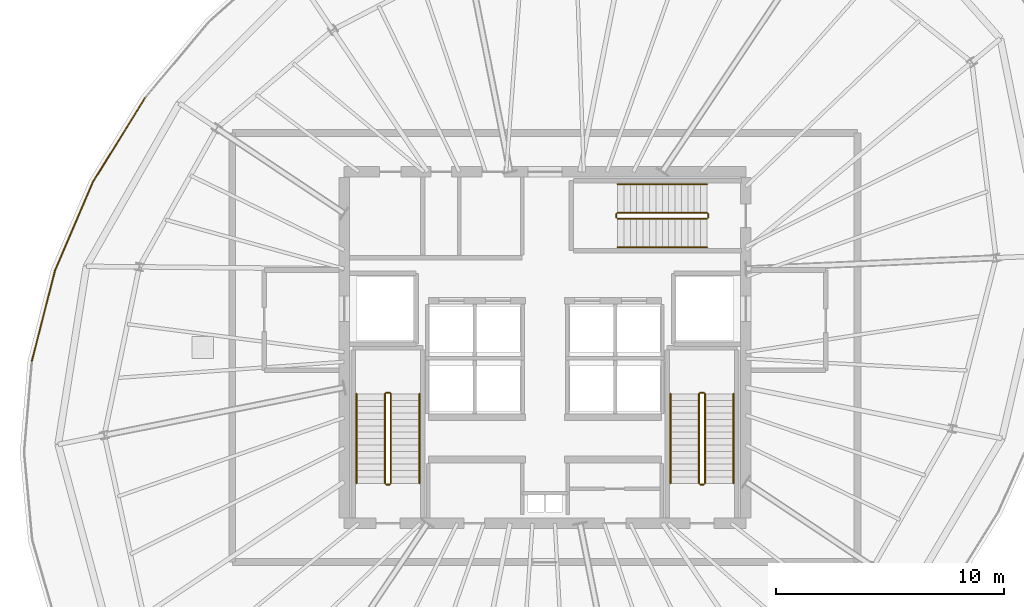
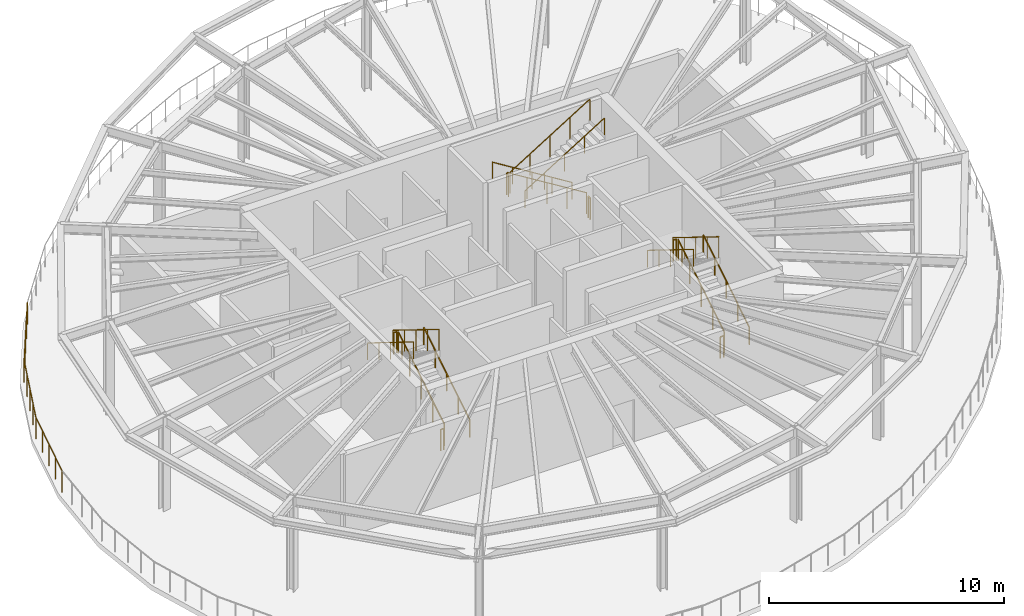
# One storey, part 7 of 8: 21 railings.
"""IFC4 building model written with IfcOpenShell, lengths in metres."""

from ifc_helpers import new_model, si_unit, direction, frame, origin, origin_2d, place, context, subcontext, project, spatial, circle, extrude, material, type_object, element, save


model = new_model("IFC4")

# Units and contexts
model_context = context("Model", 3, precision=1e-05, world=origin(), true_north=direction((0.0, 1.0)))
body_context = subcontext(model_context, "Body", "Model", "MODEL_VIEW")
ifc_project = project(units=[si_unit("LENGTHUNIT", "METRE"), si_unit("AREAUNIT", "SQUARE_METRE"), si_unit("VOLUMEUNIT", "CUBIC_METRE"), si_unit("PLANEANGLEUNIT", "RADIAN"), si_unit("MASSUNIT", "GRAM", prefix="KILO"), si_unit("THERMODYNAMICTEMPERATUREUNIT", "KELVIN")], contexts=[model_context])

# Site, building, storey
site_placement = place(None, origin())
site = spatial("IfcSite", under=ifc_project, at=site_placement, CompositionType="ELEMENT")
building_placement = place(site_placement, origin())
building = spatial("IfcBuilding", under=site, at=building_placement, Name="Kethvar Cultural Tower", CompositionType="ELEMENT")
storey_placement = place(building_placement, frame((0.0, 0.0, 218.39990234375)))
storey = spatial("IfcBuildingStorey", under=building, at=storey_placement, Name="L57", CompositionType="ELEMENT", Elevation=218.39990234375)

# Railings
ifc_material = material(Name="Steel S355J2", Category="steel")
railing_type_1 = type_object("IfcRailingType", Name="RL-EXT-GUARD-1150", PredefinedType="BALUSTRADE", material=ifc_material)
railing_1_placement = place(storey_placement, frame((29.272705078125, 38.735595703125, 0.0)))
element("IfcRailing", 1, at=railing_1_placement, inside=storey, type_object=railing_type_1, Name="L57 Open Wind-Floor Perimeter Guard 11", PredefinedType="BALUSTRADE", context=body_context, shape_type="SweptSolid", body=[
    extrude(circle(Radius=0.02392578125, at=origin_2d()), frame((0.0, 0.0, 1.1259765625), z_axis=(-0.526381893788, -0.850248258976, 0.0), x_axis=(0.850248258976, -0.526381893788, 0.0)), (0.0, 0.0, 1.0), 4.3134765625),
    extrude(circle(Radius=0.02099609375, at=origin_2d()), origin(), (0.0, 0.0, 1.0), 1.101806640625),
    extrude(circle(Radius=0.02099609375, at=origin_2d()), frame((-0.567626953125, -0.9169921875, 0.0)), (0.0, 0.0, 1.0), 1.101806640625),
    extrude(circle(Radius=0.02099609375, at=origin_2d()), frame((-1.13525390625, -1.833740234375, 0.0)), (0.0, 0.0, 1.0), 1.101806640625),
    extrude(circle(Radius=0.02099609375, at=origin_2d()), frame((-1.702880859375, -2.75048828125, 0.0)), (0.0, 0.0, 1.0), 1.101806640625),
    extrude(circle(Radius=0.02099609375, at=origin_2d()), frame((-2.2705078125, -3.66748046875, 0.0)), (0.0, 0.0, 1.0), 1.101806640625),
])
railing_2_placement = place(storey_placement, frame((27.002197265625, 35.068115234375, 0.0)))
element("IfcRailing", 2, at=railing_2_placement, inside=storey, type_object=railing_type_1, Name="L57 Open Wind-Floor Perimeter Guard 12", PredefinedType="BALUSTRADE", context=body_context, shape_type="SweptSolid", body=[
    extrude(circle(Radius=0.02392578125, at=origin_2d()), frame((0.0, 0.0, 1.1259765625), z_axis=(-0.394719622038, -0.918801621667, 0.0), x_axis=(0.918801621667, -0.394719622038, 0.0)), (0.0, 0.0, 1.0), 4.233154296875),
    extrude(circle(Radius=0.02099609375, at=origin_2d()), origin(), (0.0, 0.0, 1.0), 1.101806640625),
    extrude(circle(Radius=0.02099609375, at=origin_2d()), frame((-0.417724609375, -0.972412109375, 0.0)), (0.0, 0.0, 1.0), 1.101806640625),
    extrude(circle(Radius=0.02099609375, at=origin_2d()), frame((-0.83544921875, -1.94482421875, 0.0)), (0.0, 0.0, 1.0), 1.101806640625),
    extrude(circle(Radius=0.02099609375, at=origin_2d()), frame((-1.253173828125, -2.9169921875, 0.0)), (0.0, 0.0, 1.0), 1.101806640625),
    extrude(circle(Radius=0.02099609375, at=origin_2d()), frame((-1.6708984375, -3.889404296875, 0.0)), (0.0, 0.0, 1.0), 1.101806640625),
])
railing_3_placement = place(storey_placement, frame((25.331298828125, 31.1787109375, 0.0)))
element("IfcRailing", 3, at=railing_3_placement, inside=storey, type_object=railing_type_1, Name="L57 Open Wind-Floor Perimeter Guard 13", PredefinedType="BALUSTRADE", context=body_context, shape_type="SweptSolid", body=[
    extrude(circle(Radius=0.02392578125, at=origin_2d()), frame((0.0, 0.0, 1.1259765625), z_axis=(-0.247493258159, -0.968889615573, 0.0), x_axis=(0.968889615573, -0.247493258159, 0.0)), (0.0, 0.0, 1.0), 4.122314453125),
    extrude(circle(Radius=0.02099609375, at=origin_2d()), origin(), (0.0, 0.0, 1.0), 1.101806640625),
    extrude(circle(Radius=0.02099609375, at=origin_2d()), frame((-0.255126953125, -0.99853515625, 0.0)), (0.0, 0.0, 1.0), 1.101806640625),
    extrude(circle(Radius=0.02099609375, at=origin_2d()), frame((-0.51025390625, -1.9970703125, 0.0)), (0.0, 0.0, 1.0), 1.101806640625),
    extrude(circle(Radius=0.02099609375, at=origin_2d()), frame((-0.76513671875, -2.99560546875, 0.0)), (0.0, 0.0, 1.0), 1.101806640625),
    extrude(circle(Radius=0.02099609375, at=origin_2d()), frame((-1.020263671875, -3.994140625, 0.0)), (0.0, 0.0, 1.0), 1.101806640625),
])
railing_type_2 = type_object("IfcRailingType", Name="RL-STAIR-GUARD", PredefinedType="BALUSTRADE", material=ifc_material)
railing_4_placement = place(storey_placement, frame((40.050048828125, 21.85009765625, 0.17333984375)))
element("IfcRailing", 4, at=railing_4_placement, inside=storey, type_object=railing_type_2, Name="L57 ST-01 stair guard 1", PredefinedType="BALUSTRADE", context=body_context, shape_type="SweptSolid", body=[
    extrude(circle(Radius=0.02392578125, at=origin_2d()), frame((0.0, 0.0, 1.09619140625), z_axis=(0.0, 0.850251603719, 0.526376491091), x_axis=(-1.0, 0.0, 0.0)), (0.0, 0.0, 1.0), 4.6103515625),
    extrude(circle(Radius=0.02099609375, at=origin_2d()), origin(), (0.0, 0.0, 1.0), 1.072021484375),
    extrude(circle(Radius=0.02099609375, at=origin_2d()), frame((0.0, 0.97998046875, 0.606689453125)), (0.0, 0.0, 1.0), 1.072021484375),
    extrude(circle(Radius=0.02099609375, at=origin_2d()), frame((0.0, 1.9599609375, 1.21337890625)), (0.0, 0.0, 1.0), 1.072021484375),
    extrude(circle(Radius=0.02099609375, at=origin_2d()), frame((0.0, 2.93994140625, 1.820068359375)), (0.0, 0.0, 1.0), 1.072021484375),
    extrude(circle(Radius=0.02099609375, at=origin_2d()), frame((0.0, 3.919921875, 2.4267578125)), (0.0, 0.0, 1.0), 1.072021484375),
])
railing_5_placement = place(storey_placement, frame((40.0, 25.820068359375, 2.60009765625)))
element("IfcRailing", 5, at=railing_5_placement, inside=storey, type_object=railing_type_2, Name="L57 ST-01 stair guard 2", PredefinedType="BALUSTRADE", context=body_context, shape_type="SweptSolid", body=[
    extrude(circle(Radius=0.02392578125, at=origin_2d()), frame((0.0, 0.0, 1.09619140625), z_axis=(-1.0, 0.0, 0.0), x_axis=(0.0, -1.0, 0.0)), (0.0, 0.0, 1.0), 0.159912109375),
    extrude(circle(Radius=0.02099609375, at=origin_2d()), origin(), (0.0, 0.0, 1.0), 1.072021484375),
    extrude(circle(Radius=0.02099609375, at=origin_2d()), frame((-0.159912109375, 0.0, 0.0)), (0.0, 0.0, 1.0), 1.072021484375),
])
railing_6_placement = place(storey_placement, frame((39.7900390625, 25.77001953125, 2.7734375)))
element("IfcRailing", 6, at=railing_6_placement, inside=storey, type_object=railing_type_2, Name="L57 ST-01 stair guard 3", PredefinedType="BALUSTRADE", context=body_context, shape_type="SweptSolid", body=[
    extrude(circle(Radius=0.02392578125, at=origin_2d()), frame((0.0, 0.0, 1.09619140625), z_axis=(0.0, -0.850251603719, 0.526376491091), x_axis=(1.0, 0.0, 0.0)), (0.0, 0.0, 1.0), 4.6103515625),
    extrude(circle(Radius=0.02099609375, at=origin_2d()), origin(), (0.0, 0.0, 1.0), 1.072021484375),
    extrude(circle(Radius=0.02099609375, at=origin_2d()), frame((0.0, -0.97998046875, 0.606689453125)), (0.0, 0.0, 1.0), 1.072021484375),
    extrude(circle(Radius=0.02099609375, at=origin_2d()), frame((0.0, -1.9599609375, 1.21337890625)), (0.0, 0.0, 1.0), 1.072021484375),
    extrude(circle(Radius=0.02099609375, at=origin_2d()), frame((0.0, -2.93994140625, 1.820068359375)), (0.0, 0.0, 1.0), 1.072021484375),
    extrude(circle(Radius=0.02099609375, at=origin_2d()), frame((0.0, -3.919921875, 2.4267578125)), (0.0, 0.0, 1.0), 1.072021484375),
])
railing_7_placement = place(storey_placement, frame((40.0, 21.800048828125, 0.0)))
element("IfcRailing", 7, at=railing_7_placement, inside=storey, type_object=railing_type_2, Name="L57 ST-01 stair guard 4", PredefinedType="BALUSTRADE", context=body_context, shape_type="SweptSolid", body=[
    extrude(circle(Radius=0.02392578125, at=origin_2d()), frame((0.0, 0.0, 1.09619140625), z_axis=(-1.0, 0.0, 0.0), x_axis=(0.0, -1.0, 0.0)), (0.0, 0.0, 1.0), 0.159912109375),
    extrude(circle(Radius=0.02099609375, at=origin_2d()), origin(), (0.0, 0.0, 1.0), 1.072021484375),
    extrude(circle(Radius=0.02099609375, at=origin_2d()), frame((-0.159912109375, 0.0, 0.0)), (0.0, 0.0, 1.0), 1.072021484375),
])
railing_8_placement = place(storey_placement, frame((53.81005859375, 21.85009765625, 0.17333984375)))
element("IfcRailing", 8, at=railing_8_placement, inside=storey, type_object=railing_type_2, Name="L57 ST-02 stair guard 1", PredefinedType="BALUSTRADE", context=body_context, shape_type="SweptSolid", body=[
    extrude(circle(Radius=0.02392578125, at=origin_2d()), frame((0.0, 0.0, 1.09619140625), z_axis=(0.0, 0.850251603719, 0.526376491091), x_axis=(-1.0, 0.0, 0.0)), (0.0, 0.0, 1.0), 4.6103515625),
    extrude(circle(Radius=0.02099609375, at=origin_2d()), origin(), (0.0, 0.0, 1.0), 1.072021484375),
    extrude(circle(Radius=0.02099609375, at=origin_2d()), frame((0.0, 0.97998046875, 0.606689453125)), (0.0, 0.0, 1.0), 1.072021484375),
    extrude(circle(Radius=0.02099609375, at=origin_2d()), frame((0.0, 1.9599609375, 1.21337890625)), (0.0, 0.0, 1.0), 1.072021484375),
    extrude(circle(Radius=0.02099609375, at=origin_2d()), frame((0.0, 2.93994140625, 1.820068359375)), (0.0, 0.0, 1.0), 1.072021484375),
    extrude(circle(Radius=0.02099609375, at=origin_2d()), frame((0.0, 3.919921875, 2.4267578125)), (0.0, 0.0, 1.0), 1.072021484375),
])
railing_9_placement = place(storey_placement, frame((53.760009765625, 25.820068359375, 2.60009765625)))
element("IfcRailing", 9, at=railing_9_placement, inside=storey, type_object=railing_type_2, Name="L57 ST-02 stair guard 2", PredefinedType="BALUSTRADE", context=body_context, shape_type="SweptSolid", body=[
    extrude(circle(Radius=0.02392578125, at=origin_2d()), frame((0.0, 0.0, 1.09619140625), z_axis=(-1.0, 0.0, 0.0), x_axis=(0.0, -1.0, 0.0)), (0.0, 0.0, 1.0), 0.159912109375),
    extrude(circle(Radius=0.02099609375, at=origin_2d()), origin(), (0.0, 0.0, 1.0), 1.072021484375),
    extrude(circle(Radius=0.02099609375, at=origin_2d()), frame((-0.159912109375, 0.0, 0.0)), (0.0, 0.0, 1.0), 1.072021484375),
])
railing_10_placement = place(storey_placement, frame((53.550048828125, 25.77001953125, 2.7734375)))
element("IfcRailing", 10, at=railing_10_placement, inside=storey, type_object=railing_type_2, Name="L57 ST-02 stair guard 3", PredefinedType="BALUSTRADE", context=body_context, shape_type="SweptSolid", body=[
    extrude(circle(Radius=0.02392578125, at=origin_2d()), frame((0.0, 0.0, 1.09619140625), z_axis=(0.0, -0.850251603719, 0.526376491091), x_axis=(1.0, 0.0, 0.0)), (0.0, 0.0, 1.0), 4.6103515625),
    extrude(circle(Radius=0.02099609375, at=origin_2d()), origin(), (0.0, 0.0, 1.0), 1.072021484375),
    extrude(circle(Radius=0.02099609375, at=origin_2d()), frame((0.0, -0.97998046875, 0.606689453125)), (0.0, 0.0, 1.0), 1.072021484375),
    extrude(circle(Radius=0.02099609375, at=origin_2d()), frame((0.0, -1.9599609375, 1.21337890625)), (0.0, 0.0, 1.0), 1.072021484375),
    extrude(circle(Radius=0.02099609375, at=origin_2d()), frame((0.0, -2.93994140625, 1.820068359375)), (0.0, 0.0, 1.0), 1.072021484375),
    extrude(circle(Radius=0.02099609375, at=origin_2d()), frame((0.0, -3.919921875, 2.4267578125)), (0.0, 0.0, 1.0), 1.072021484375),
])
railing_11_placement = place(storey_placement, frame((53.760009765625, 21.800048828125, 0.0)))
element("IfcRailing", 11, at=railing_11_placement, inside=storey, type_object=railing_type_2, Name="L57 ST-02 stair guard 4", PredefinedType="BALUSTRADE", context=body_context, shape_type="SweptSolid", body=[
    extrude(circle(Radius=0.02392578125, at=origin_2d()), frame((0.0, 0.0, 1.09619140625), z_axis=(-1.0, 0.0, 0.0), x_axis=(0.0, -1.0, 0.0)), (0.0, 0.0, 1.0), 0.159912109375),
    extrude(circle(Radius=0.02099609375, at=origin_2d()), origin(), (0.0, 0.0, 1.0), 1.072021484375),
    extrude(circle(Radius=0.02099609375, at=origin_2d()), frame((-0.159912109375, 0.0, 0.0)), (0.0, 0.0, 1.0), 1.072021484375),
])
railing_12_placement = place(storey_placement, frame((53.89990234375, 33.7099609375, 0.17333984375)))
element("IfcRailing", 12, at=railing_12_placement, inside=storey, type_object=railing_type_2, Name="L57 ST-03 stair guard 1", PredefinedType="BALUSTRADE", context=body_context, shape_type="SweptSolid", body=[
    extrude(circle(Radius=0.02392578125, at=origin_2d()), frame((0.0, 0.0, 1.09619140625), z_axis=(-0.850251603719, 0.0, 0.526376491091), x_axis=(0.0, -1.0, 0.0)), (0.0, 0.0, 1.0), 4.6103515625),
    extrude(circle(Radius=0.02099609375, at=origin_2d()), origin(), (0.0, 0.0, 1.0), 1.072021484375),
    extrude(circle(Radius=0.02099609375, at=origin_2d()), frame((-0.97998046875, 0.0, 0.606689453125)), (0.0, 0.0, 1.0), 1.072021484375),
    extrude(circle(Radius=0.02099609375, at=origin_2d()), frame((-1.9599609375, 0.0, 1.21337890625)), (0.0, 0.0, 1.0), 1.072021484375),
    extrude(circle(Radius=0.02099609375, at=origin_2d()), frame((-2.93994140625, 0.0, 1.820068359375)), (0.0, 0.0, 1.0), 1.072021484375),
    extrude(circle(Radius=0.02099609375, at=origin_2d()), frame((-3.919921875, 0.0, 2.4267578125)), (0.0, 0.0, 1.0), 1.072021484375),
])
railing_13_placement = place(storey_placement, frame((49.929931640625, 33.659912109375, 2.60009765625)))
element("IfcRailing", 13, at=railing_13_placement, inside=storey, type_object=railing_type_2, Name="L57 ST-03 stair guard 2", PredefinedType="BALUSTRADE", context=body_context, shape_type="SweptSolid", body=[
    extrude(circle(Radius=0.02392578125, at=origin_2d()), frame((0.0, 0.0, 1.09619140625), z_axis=(0.0, -1.0, 0.0), x_axis=(1.0, 0.0, 0.0)), (0.0, 0.0, 1.0), 0.159912109375),
    extrude(circle(Radius=0.02099609375, at=origin_2d()), origin(), (0.0, 0.0, 1.0), 1.072021484375),
    extrude(circle(Radius=0.02099609375, at=origin_2d()), frame((0.0, -0.159912109375, 0.0)), (0.0, 0.0, 1.0), 1.072021484375),
])
railing_14_placement = place(storey_placement, frame((49.97998046875, 33.449951171875, 2.7734375)))
element("IfcRailing", 14, at=railing_14_placement, inside=storey, type_object=railing_type_2, Name="L57 ST-03 stair guard 3", PredefinedType="BALUSTRADE", context=body_context, shape_type="SweptSolid", body=[
    extrude(circle(Radius=0.02392578125, at=origin_2d()), frame((0.0, 0.0, 1.09619140625), z_axis=(0.850251603719, 0.0, 0.526376491091), x_axis=(0.0, 1.0, 0.0)), (0.0, 0.0, 1.0), 4.6103515625),
    extrude(circle(Radius=0.02099609375, at=origin_2d()), origin(), (0.0, 0.0, 1.0), 1.072021484375),
    extrude(circle(Radius=0.02099609375, at=origin_2d()), frame((0.97998046875, 0.0, 0.606689453125)), (0.0, 0.0, 1.0), 1.072021484375),
    extrude(circle(Radius=0.02099609375, at=origin_2d()), frame((1.9599609375, 0.0, 1.21337890625)), (0.0, 0.0, 1.0), 1.072021484375),
    extrude(circle(Radius=0.02099609375, at=origin_2d()), frame((2.93994140625, 0.0, 1.820068359375)), (0.0, 0.0, 1.0), 1.072021484375),
    extrude(circle(Radius=0.02099609375, at=origin_2d()), frame((3.919921875, 0.0, 2.4267578125)), (0.0, 0.0, 1.0), 1.072021484375),
])
railing_15_placement = place(storey_placement, frame((53.949951171875, 33.659912109375, 0.0)))
element("IfcRailing", 15, at=railing_15_placement, inside=storey, type_object=railing_type_2, Name="L57 ST-03 stair guard 4", PredefinedType="BALUSTRADE", context=body_context, shape_type="SweptSolid", body=[
    extrude(circle(Radius=0.02392578125, at=origin_2d()), frame((0.0, 0.0, 1.09619140625), z_axis=(0.0, -1.0, 0.0), x_axis=(1.0, 0.0, 0.0)), (0.0, 0.0, 1.0), 0.159912109375),
    extrude(circle(Radius=0.02099609375, at=origin_2d()), origin(), (0.0, 0.0, 1.0), 1.072021484375),
    extrude(circle(Radius=0.02099609375, at=origin_2d()), frame((0.0, -0.159912109375, 0.0)), (0.0, 0.0, 1.0), 1.072021484375),
])
railing_type_3 = type_object("IfcRailingType", Name="RL-STAIR-HANDRAIL", PredefinedType="HANDRAIL", material=ifc_material)
railing_16_placement = place(storey_placement, frame((41.300048828125, 21.85009765625, 0.17333984375)))
element("IfcRailing", 16, at=railing_16_placement, inside=storey, type_object=railing_type_3, Name="L57 ST-01 stair handrail 1", PredefinedType="HANDRAIL", context=body_context, shape_type="SweptSolid", body=[
    extrude(circle(Radius=0.02392578125, at=origin_2d()), frame((0.0, 0.0, 0.8759765625), z_axis=(0.0, 0.850251603719, 0.526376491091), x_axis=(-1.0, 0.0, 0.0)), (0.0, 0.0, 1.0), 4.6103515625),
    extrude(circle(Radius=0.02099609375, at=origin_2d()), origin(), (0.0, 0.0, 1.0), 0.851806640625),
    extrude(circle(Radius=0.02099609375, at=origin_2d()), frame((0.0, 0.97998046875, 0.606689453125)), (0.0, 0.0, 1.0), 0.851806640625),
    extrude(circle(Radius=0.02099609375, at=origin_2d()), frame((0.0, 1.9599609375, 1.21337890625)), (0.0, 0.0, 1.0), 0.851806640625),
    extrude(circle(Radius=0.02099609375, at=origin_2d()), frame((0.0, 2.93994140625, 1.820068359375)), (0.0, 0.0, 1.0), 0.851806640625),
    extrude(circle(Radius=0.02099609375, at=origin_2d()), frame((0.0, 3.919921875, 2.4267578125)), (0.0, 0.0, 1.0), 0.851806640625),
])
railing_17_placement = place(storey_placement, frame((38.5400390625, 25.77001953125, 2.7734375)))
element("IfcRailing", 17, at=railing_17_placement, inside=storey, type_object=railing_type_3, Name="L57 ST-01 stair handrail 2", PredefinedType="HANDRAIL", context=body_context, shape_type="SweptSolid", body=[
    extrude(circle(Radius=0.02392578125, at=origin_2d()), frame((0.0, 0.0, 0.8759765625), z_axis=(0.0, -0.850251603719, 0.526376491091), x_axis=(1.0, 0.0, 0.0)), (0.0, 0.0, 1.0), 4.6103515625),
    extrude(circle(Radius=0.02099609375, at=origin_2d()), origin(), (0.0, 0.0, 1.0), 0.851806640625),
    extrude(circle(Radius=0.02099609375, at=origin_2d()), frame((0.0, -0.97998046875, 0.606689453125)), (0.0, 0.0, 1.0), 0.851806640625),
    extrude(circle(Radius=0.02099609375, at=origin_2d()), frame((0.0, -1.9599609375, 1.21337890625)), (0.0, 0.0, 1.0), 0.851806640625),
    extrude(circle(Radius=0.02099609375, at=origin_2d()), frame((0.0, -2.93994140625, 1.820068359375)), (0.0, 0.0, 1.0), 0.851806640625),
    extrude(circle(Radius=0.02099609375, at=origin_2d()), frame((0.0, -3.919921875, 2.4267578125)), (0.0, 0.0, 1.0), 0.851806640625),
])
railing_18_placement = place(storey_placement, frame((55.06005859375, 21.85009765625, 0.17333984375)))
element("IfcRailing", 18, at=railing_18_placement, inside=storey, type_object=railing_type_3, Name="L57 ST-02 stair handrail 1", PredefinedType="HANDRAIL", context=body_context, shape_type="SweptSolid", body=[
    extrude(circle(Radius=0.02392578125, at=origin_2d()), frame((0.0, 0.0, 0.8759765625), z_axis=(0.0, 0.850251603719, 0.526376491091), x_axis=(-1.0, 0.0, 0.0)), (0.0, 0.0, 1.0), 4.6103515625),
    extrude(circle(Radius=0.02099609375, at=origin_2d()), origin(), (0.0, 0.0, 1.0), 0.851806640625),
    extrude(circle(Radius=0.02099609375, at=origin_2d()), frame((0.0, 0.97998046875, 0.606689453125)), (0.0, 0.0, 1.0), 0.851806640625),
    extrude(circle(Radius=0.02099609375, at=origin_2d()), frame((0.0, 1.9599609375, 1.21337890625)), (0.0, 0.0, 1.0), 0.851806640625),
    extrude(circle(Radius=0.02099609375, at=origin_2d()), frame((0.0, 2.93994140625, 1.820068359375)), (0.0, 0.0, 1.0), 0.851806640625),
    extrude(circle(Radius=0.02099609375, at=origin_2d()), frame((0.0, 3.919921875, 2.4267578125)), (0.0, 0.0, 1.0), 0.851806640625),
])
railing_19_placement = place(storey_placement, frame((52.300048828125, 25.77001953125, 2.7734375)))
element("IfcRailing", 19, at=railing_19_placement, inside=storey, type_object=railing_type_3, Name="L57 ST-02 stair handrail 2", PredefinedType="HANDRAIL", context=body_context, shape_type="SweptSolid", body=[
    extrude(circle(Radius=0.02392578125, at=origin_2d()), frame((0.0, 0.0, 0.8759765625), z_axis=(0.0, -0.850251603719, 0.526376491091), x_axis=(1.0, 0.0, 0.0)), (0.0, 0.0, 1.0), 4.6103515625),
    extrude(circle(Radius=0.02099609375, at=origin_2d()), origin(), (0.0, 0.0, 1.0), 0.851806640625),
    extrude(circle(Radius=0.02099609375, at=origin_2d()), frame((0.0, -0.97998046875, 0.606689453125)), (0.0, 0.0, 1.0), 0.851806640625),
    extrude(circle(Radius=0.02099609375, at=origin_2d()), frame((0.0, -1.9599609375, 1.21337890625)), (0.0, 0.0, 1.0), 0.851806640625),
    extrude(circle(Radius=0.02099609375, at=origin_2d()), frame((0.0, -2.93994140625, 1.820068359375)), (0.0, 0.0, 1.0), 0.851806640625),
    extrude(circle(Radius=0.02099609375, at=origin_2d()), frame((0.0, -3.919921875, 2.4267578125)), (0.0, 0.0, 1.0), 0.851806640625),
])
railing_20_placement = place(storey_placement, frame((53.89990234375, 34.9599609375, 0.17333984375)))
element("IfcRailing", 20, at=railing_20_placement, inside=storey, type_object=railing_type_3, Name="L57 ST-03 stair handrail 1", PredefinedType="HANDRAIL", context=body_context, shape_type="SweptSolid", body=[
    extrude(circle(Radius=0.02392578125, at=origin_2d()), frame((0.0, 0.0, 0.8759765625), z_axis=(-0.850251603719, 0.0, 0.526376491091), x_axis=(0.0, -1.0, 0.0)), (0.0, 0.0, 1.0), 4.6103515625),
    extrude(circle(Radius=0.02099609375, at=origin_2d()), origin(), (0.0, 0.0, 1.0), 0.851806640625),
    extrude(circle(Radius=0.02099609375, at=origin_2d()), frame((-0.97998046875, 0.0, 0.606689453125)), (0.0, 0.0, 1.0), 0.851806640625),
    extrude(circle(Radius=0.02099609375, at=origin_2d()), frame((-1.9599609375, 0.0, 1.21337890625)), (0.0, 0.0, 1.0), 0.851806640625),
    extrude(circle(Radius=0.02099609375, at=origin_2d()), frame((-2.93994140625, 0.0, 1.820068359375)), (0.0, 0.0, 1.0), 0.851806640625),
    extrude(circle(Radius=0.02099609375, at=origin_2d()), frame((-3.919921875, 0.0, 2.4267578125)), (0.0, 0.0, 1.0), 0.851806640625),
])
railing_21_placement = place(storey_placement, frame((49.97998046875, 32.199951171875, 2.7734375)))
element("IfcRailing", 21, at=railing_21_placement, inside=storey, type_object=railing_type_3, Name="L57 ST-03 stair handrail 2", PredefinedType="HANDRAIL", context=body_context, shape_type="SweptSolid", body=[
    extrude(circle(Radius=0.02392578125, at=origin_2d()), frame((0.0, 0.0, 0.8759765625), z_axis=(0.850251603719, 0.0, 0.526376491091), x_axis=(0.0, 1.0, 0.0)), (0.0, 0.0, 1.0), 4.6103515625),
    extrude(circle(Radius=0.02099609375, at=origin_2d()), origin(), (0.0, 0.0, 1.0), 0.851806640625),
    extrude(circle(Radius=0.02099609375, at=origin_2d()), frame((0.97998046875, 0.0, 0.606689453125)), (0.0, 0.0, 1.0), 0.851806640625),
    extrude(circle(Radius=0.02099609375, at=origin_2d()), frame((1.9599609375, 0.0, 1.21337890625)), (0.0, 0.0, 1.0), 0.851806640625),
    extrude(circle(Radius=0.02099609375, at=origin_2d()), frame((2.93994140625, 0.0, 1.820068359375)), (0.0, 0.0, 1.0), 0.851806640625),
    extrude(circle(Radius=0.02099609375, at=origin_2d()), frame((3.919921875, 0.0, 2.4267578125)), (0.0, 0.0, 1.0), 0.851806640625),
])

save(model, "model.ifc")
